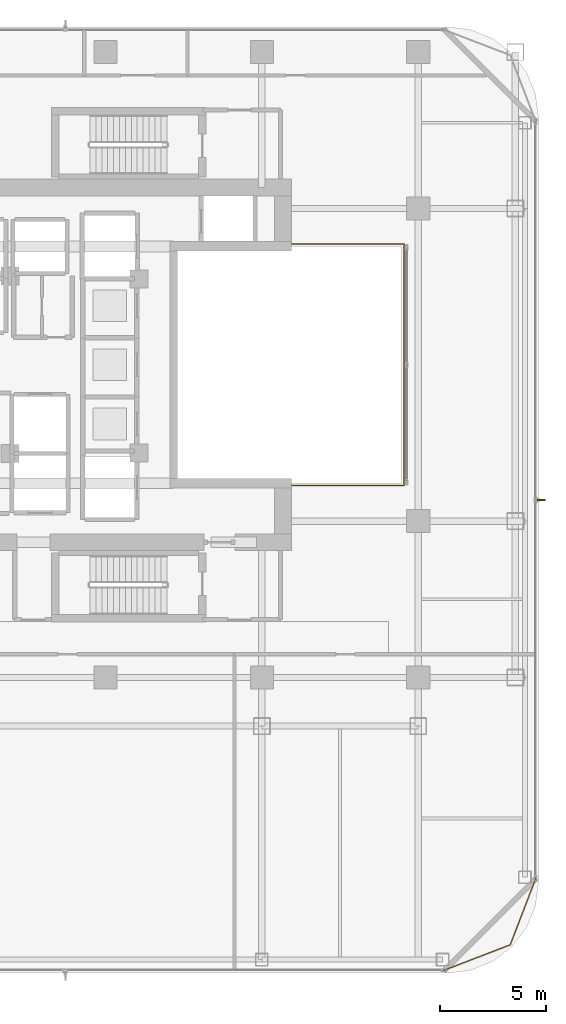
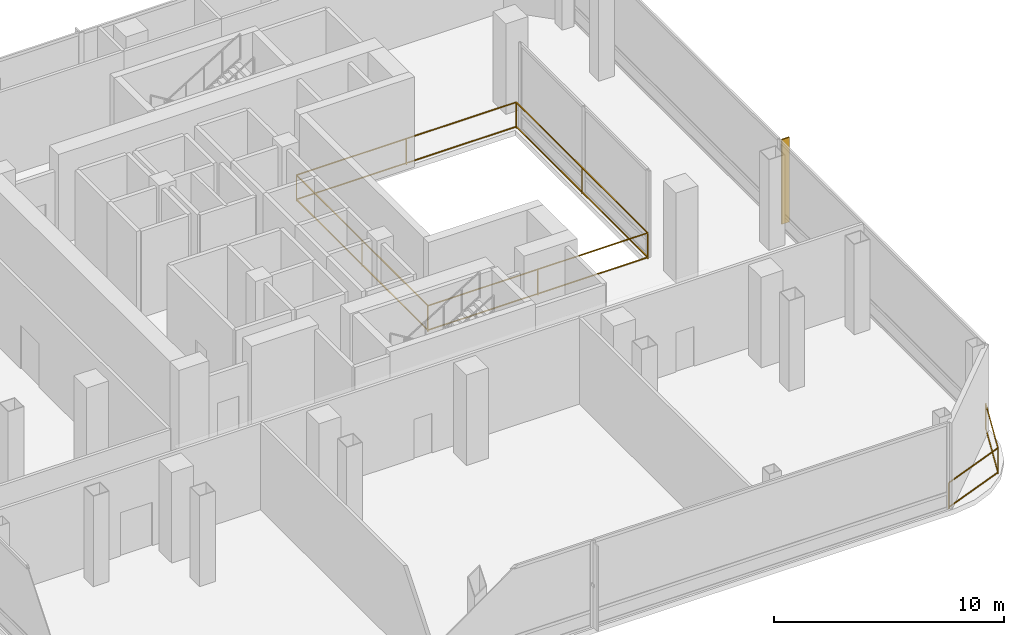
# One storey, part 20 of 22: 2 railings, 1 shading device.
"""IFC4 building model written with IfcOpenShell, lengths in metres."""

import ifcopenshell
import ifcopenshell.guid

model = None  # the IFC model being written
_history = None  # IfcOwnerHistory: only IFC2X3 demands one
_inside = {}  # id of a spatial element -> (the spatial element, [elements in it])
_under = {}  # id of a project, library or spatial element -> (it, [spatial elements below it])
_declared = {}  # id of a project -> (the project, [libraries it declares])
_typed = {}  # id of a type object -> (the type object, [elements of that type])
_made_of = {}  # id of a material, layer set ... -> (it, [elements and type objects made of it])


def new_model(schema):
    """Start an empty IFC model of exactly this schema.

    Asked for "IFC4X3", IfcOpenShell would pick the latest addendum, in which some entities
    have other attributes; the version numbers below select the first issue.
    IFC2X3 requires an IfcOwnerHistory on every rooted entity: one is made here for all.
    """
    global model, _history
    if schema == "IFC4X3":
        model = ifcopenshell.file(schema_version=(4, 3, 0, 0))
    else:
        model = ifcopenshell.file(schema=schema)
    _inside.clear()
    _under.clear()
    _declared.clear()
    _typed.clear()
    _made_of.clear()
    _history = None
    if model.schema == "IFC2X3":
        org = make("IfcOrganization", Name="unknown")
        user = make(
            "IfcPersonAndOrganization",
            ThePerson=make("IfcPerson", FamilyName="unknown"),
            TheOrganization=org,
        )
        app = make(
            "IfcApplication",
            ApplicationDeveloper=org,
            Version="unknown",
            ApplicationFullName="unknown",
            ApplicationIdentifier="unknown",
        )
        _history = make(
            "IfcOwnerHistory",
            OwningUser=user,
            OwningApplication=app,
            ChangeAction="ADDED",
            CreationDate=0,
        )
    return model


def make(cls, **values):
    """One entity of the class cls with the attributes given. An attribute that is None is left unset."""
    return model.create_entity(
        cls, **{name: value for name, value in values.items() if value is not None}
    )


def rooted(cls, **values):
    """An entity with a GlobalId (a new one), such as an element, a storey or a relation."""
    return make(cls, GlobalId=ifcopenshell.guid.new(), OwnerHistory=_history, **values)


def si_unit(unit_type, name, prefix=None):
    """IfcSIUnit, for example si_unit("LENGTHUNIT", "METRE", prefix="MILLI")."""
    return make("IfcSIUnit", UnitType=unit_type, Prefix=prefix, Name=name)


def assignment(units):
    """IfcUnitAssignment: the units of a project."""
    return None if units is None else make("IfcUnitAssignment", Units=units)


def point(xyz):
    """IfcCartesianPoint."""
    return None if xyz is None else make("IfcCartesianPoint", Coordinates=xyz)


def direction(xyz):
    """IfcDirection."""
    return None if xyz is None else make("IfcDirection", DirectionRatios=xyz)


def frame(location, z_axis=None, x_axis=None):
    """IfcAxis2Placement3D, a coordinate frame: its origin and axes. An axis left out is left unset."""
    return make(
        "IfcAxis2Placement3D",
        Location=point(location),
        Axis=direction(z_axis),
        RefDirection=direction(x_axis),
    )


def frame_2d(location, x_axis=None):
    """IfcAxis2Placement2D, a coordinate frame in the plane: its origin and x axis."""
    return make(
        "IfcAxis2Placement2D", Location=point(location), RefDirection=direction(x_axis)
    )


def origin():
    """The frame at (0, 0, 0) with its axes left unset."""
    return frame((0.0, 0.0, 0.0))


def origin_2d():
    """The frame at (0, 0) in the plane with its x axis left unset."""
    return frame_2d((0.0, 0.0))


def place(relative_to, where):
    """IfcLocalPlacement: puts the frame where relative to a parent placement (None: the world)."""
    return make(
        "IfcLocalPlacement", PlacementRelTo=relative_to, RelativePlacement=where
    )


def context(
    kind, dimensions, precision=None, world=None, true_north=None, identifier=None
):
    """IfcGeometricRepresentationContext, for example the 3D "Model" context."""
    return make(
        "IfcGeometricRepresentationContext",
        ContextIdentifier=identifier,
        ContextType=kind,
        CoordinateSpaceDimension=dimensions,
        Precision=precision,
        WorldCoordinateSystem=world,
        TrueNorth=true_north,
    )


def subcontext(parent, identifier, kind, view, scale=None):
    """IfcGeometricRepresentationSubContext, for example "Body" below "Model"."""
    return make(
        "IfcGeometricRepresentationSubContext",
        ContextIdentifier=identifier,
        ContextType=kind,
        ParentContext=parent,
        TargetScale=scale,
        TargetView=view,
    )


def project(units=None, contexts=None):
    """IfcProject with its units and contexts."""
    return rooted(
        "IfcProject",
        Name="project",
        RepresentationContexts=contexts,
        UnitsInContext=assignment(units),
    )


def spatial(cls, under=None, at=None, **own):
    """A site, building, storey or space (cls), placed at a placement, below another one or the project."""
    s = rooted(cls, ObjectPlacement=at, **own)
    if under is not None:
        _under.setdefault(under.id(), (under, []))[1].append(s)
    return s


def profile(cls, at=None, kind="AREA", **sizes):
    """A parametric profile (cls). Its sizes go by their IFC names, for example OverallWidth=200.0."""
    return make(cls, ProfileType=kind, Position=at, **sizes)


def rectangle(**sizes):
    """IfcRectangleProfileDef."""
    return profile("IfcRectangleProfileDef", **sizes)


def extrude(swept, where, along, depth):
    """IfcExtrudedAreaSolid: the profile swept, set in the frame where, extruded along a direction by depth."""
    return make(
        "IfcExtrudedAreaSolid",
        SweptArea=swept,
        Position=where,
        ExtrudedDirection=direction(along),
        Depth=depth,
    )


def shape(context_of_items, identifier, shape_type, items):
    """IfcShapeRepresentation: the items that make up one representation, for example the "Body"."""
    return make(
        "IfcShapeRepresentation",
        ContextOfItems=context_of_items,
        RepresentationIdentifier=identifier,
        RepresentationType=shape_type,
        Items=items,
    )


def material(Name=None, Category=None):
    """IfcMaterial."""
    return make("IfcMaterial", Name=Name, Category=Category)


def layer(
    of_material, thickness, ventilated=None, Name=None, Category=None, Priority=None
):
    """IfcMaterialLayer: one layer of a wall or slab, of a material (None: an air gap)."""
    return make(
        "IfcMaterialLayer",
        Material=of_material,
        LayerThickness=thickness,
        IsVentilated=ventilated,
        Name=Name,
        Category=Category,
        Priority=Priority,
    )


def layer_set(layers, Name=None):
    """IfcMaterialLayerSet."""
    return make("IfcMaterialLayerSet", MaterialLayers=layers, LayerSetName=Name)


def made_of(thing, what):
    """Note that an element or type object is made of a material, layer set ...; save() writes the relation."""
    if what is not None:
        _made_of.setdefault(what.id(), (what, []))[1].append(thing)
    return thing


def type_object(cls, material=None, **own):
    """A type object (cls), such as IfcWallType, which elements share."""
    return made_of(rooted(cls, **own), material)


def element(
    cls,
    number,
    at=None,
    inside=None,
    cuts=None,
    type_object=None,
    material=None,
    context=None,
    identifier="Body",
    shape_type=None,
    held_by="IfcProductDefinitionShape",
    body=None,
    shapes=None,
    **own,
):
    """One element of the class cls, such as IfcWall. Its Tag is "e" and its number.

    at: its placement. inside: the storey or other place that contains it. cuts: it is an
    opening in that element (IfcRelVoidsElement). A single representation is given by context,
    identifier, shape_type and body (its items); several are given by shapes. held_by: the class
    of the entity that holds the representations. save() writes the other relations.
    """
    e = rooted(cls, Tag="e%d" % number, ObjectPlacement=at, **own)
    if body is not None:
        shapes = [shape(context, identifier, shape_type, body)]
    if shapes is not None:
        e.Representation = make(held_by, Representations=shapes)
    if inside is not None:
        _inside.setdefault(inside.id(), (inside, []))[1].append(e)
    if cuts is not None:
        rooted(
            "IfcRelVoidsElement", RelatingBuildingElement=cuts, RelatedOpeningElement=e
        )
    if type_object is not None:
        _typed.setdefault(type_object.id(), (type_object, []))[1].append(e)
    return made_of(e, material)


def aggregate(whole, parts):
    """IfcRelAggregates: a whole, such as a stair, and the parts it consists of."""
    return rooted("IfcRelAggregates", RelatingObject=whole, RelatedObjects=parts)


def save(model, path):
    """Write the relations noted so far, then the file.

    IfcRelAggregates (storeys below a building ...), IfcRelContainedInSpatialStructure (elements
    in a storey), IfcRelDefinesByType, IfcRelAssociatesMaterial and IfcRelDeclares: one each for
    every whole, place, type object, material and project.
    """
    for whole, parts in _under.values():
        aggregate(whole, parts)
    for where, things in _inside.values():
        rooted(
            "IfcRelContainedInSpatialStructure",
            RelatedElements=things,
            RelatingStructure=where,
        )
    for kind, things in _typed.values():
        rooted("IfcRelDefinesByType", RelatedObjects=things, RelatingType=kind)
    for what, things in _made_of.values():
        rooted("IfcRelAssociatesMaterial", RelatedObjects=things, RelatingMaterial=what)
    for by, libraries in _declared.values():
        rooted("IfcRelDeclares", RelatingContext=by, RelatedDefinitions=libraries)
    model.write(path)


model = new_model("IFC4")

# Units and contexts
model_context = context("Model", 3, precision=1e-05, world=origin(), true_north=direction((0.0, 1.0)))
body_context = subcontext(model_context, "Body", "Model", "MODEL_VIEW")
ifc_project = project(units=[si_unit("LENGTHUNIT", "METRE"), si_unit("AREAUNIT", "SQUARE_METRE"), si_unit("VOLUMEUNIT", "CUBIC_METRE"), si_unit("PLANEANGLEUNIT", "RADIAN"), si_unit("MASSUNIT", "GRAM", prefix="KILO")], contexts=[model_context])

# Site, building, storey
site_placement = place(None, origin())
site = spatial("IfcSite", under=ifc_project, at=site_placement, CompositionType="ELEMENT")
building_placement = place(site_placement, origin())
building = spatial("IfcBuilding", under=site, at=building_placement, Name="Khorvyn Point Tower", CompositionType="ELEMENT")
storey_placement = place(building_placement, frame((0.0, 0.0, 210.89990234375)))
storey = spatial("IfcBuildingStorey", under=building, at=storey_placement, Name="L52", CompositionType="ELEMENT", Elevation=210.89990234375)

# Shading device
ifc_material_1 = material(Name="Bronze anodised aluminium 6063-T6", Category="aluminium")
ifc_layer = layer(ifc_material_1, 0.06494140625)
ifc_layer_set = layer_set([ifc_layer], Name="Bronze Anodised Aluminium FIN 380x65")
shading_device_type = type_object("IfcShadingDeviceType", Name="Bronze Anodised Aluminium FIN 380x65", PredefinedType="USERDEFINED", material=ifc_layer_set)
shading_device_placement = place(storey_placement, frame((20.6298828125, -6.39990234375, 0.0400390625), z_axis=(0.0, 0.0, 1.0), x_axis=(1.0, 0.0, 0.0)))
element("IfcShadingDevice", 1, at=shading_device_placement, inside=storey, type_object=shading_device_type, Name="L52 Anodised FIN 01", ObjectType="FIN", PredefinedType="USERDEFINED", context=body_context, shape_type="SweptSolid", body=[
    extrude(rectangle(XDim=0.3798828125, YDim=0.06494140625, at=origin_2d()), origin(), (0.0, 0.0, 1.0), 4.5),
])

# Railings
ifc_material_2 = material(Name="Stainless steel 1.4401 and laminated glass", Category="steel")
railing_type_1 = type_object("IfcRailingType", Name="Crystal Atrium Smoke-Rated Perimeter Guardrail 1400", PredefinedType="GUARDRAIL", material=ifc_material_2)
railing_1_placement = place(storey_placement, frame((3.080078125, -5.719970703125, 0.0)))
element("IfcRailing", 2, at=railing_1_placement, inside=storey, type_object=railing_type_1, Name="L52 Crystal Atrium Perimeter Guardrail", PredefinedType="GUARDRAIL", context=body_context, shape_type="SweptSolid", body=[
    extrude(rectangle(XDim=0.048095703125, YDim=0.048095703125, at=origin_2d()), frame((0.0, 0.0, 1.3759765625), z_axis=(1.0, 0.0, 0.0), x_axis=(0.0, 1.0, 0.0)), (0.0, 0.0, 1.0), 11.0400390625),
    extrude(rectangle(XDim=0.048095703125, YDim=0.048095703125, at=origin_2d()), frame((0.0, 0.0, 0.080078125), z_axis=(1.0, 0.0, 0.0), x_axis=(0.0, 1.0, 0.0)), (0.0, 0.0, 1.0), 11.0400390625),
    extrude(rectangle(XDim=0.048095703125, YDim=0.048095703125, at=origin_2d()), frame((11.0400390625, 0.0, 1.3759765625), z_axis=(0.0, 1.0, 0.0), x_axis=(-1.0, 0.0, 0.0)), (0.0, 0.0, 1.0), 11.43994140625),
    extrude(rectangle(XDim=0.048095703125, YDim=0.048095703125, at=origin_2d()), frame((11.0400390625, 0.0, 0.080078125), z_axis=(0.0, 1.0, 0.0), x_axis=(-1.0, 0.0, 0.0)), (0.0, 0.0, 1.0), 11.43994140625),
    extrude(rectangle(XDim=0.048095703125, YDim=0.048095703125, at=origin_2d()), frame((11.0400390625, 11.43994140625, 1.3759765625), z_axis=(-1.0, 0.0, 0.0), x_axis=(0.0, -1.0, 0.0)), (0.0, 0.0, 1.0), 11.0400390625),
    extrude(rectangle(XDim=0.048095703125, YDim=0.048095703125, at=origin_2d()), frame((11.0400390625, 11.43994140625, 0.080078125), z_axis=(-1.0, 0.0, 0.0), x_axis=(0.0, -1.0, 0.0)), (0.0, 0.0, 1.0), 11.0400390625),
    extrude(rectangle(XDim=0.048095703125, YDim=0.048095703125, at=origin_2d()), frame((0.0, 11.43994140625, 1.3759765625), z_axis=(0.0, -1.0, 0.0), x_axis=(1.0, 0.0, 0.0)), (0.0, 0.0, 1.0), 11.409912109375),
    extrude(rectangle(XDim=0.048095703125, YDim=0.048095703125, at=origin_2d()), frame((0.0, 11.43994140625, 0.080078125), z_axis=(0.0, -1.0, 0.0), x_axis=(1.0, 0.0, 0.0)), (0.0, 0.0, 1.0), 11.409912109375),
    extrude(rectangle(XDim=0.0419921875, YDim=0.0419921875, at=origin_2d()), origin(), (0.0, 0.0, 1.0), 1.351806640625),
    extrude(rectangle(XDim=0.0419921875, YDim=0.0419921875, at=origin_2d()), frame((5.52001953125, 0.0, 0.0)), (0.0, 0.0, 1.0), 1.351806640625),
    extrude(rectangle(XDim=0.0419921875, YDim=0.0419921875, at=origin_2d()), frame((11.0400390625, 0.0, 0.0)), (0.0, 0.0, 1.0), 1.351806640625),
    extrude(rectangle(XDim=0.0419921875, YDim=0.0419921875, at=origin_2d()), frame((11.0400390625, 5.719970703125, 0.0)), (0.0, 0.0, 1.0), 1.351806640625),
    extrude(rectangle(XDim=0.0419921875, YDim=0.0419921875, at=origin_2d()), frame((11.0400390625, 11.43994140625, 0.0)), (0.0, 0.0, 1.0), 1.351806640625),
    extrude(rectangle(XDim=0.0419921875, YDim=0.0419921875, at=origin_2d()), frame((5.52001953125, 11.43994140625, 0.0)), (0.0, 0.0, 1.0), 1.351806640625),
    extrude(rectangle(XDim=0.0419921875, YDim=0.0419921875, at=origin_2d()), frame((0.0, 11.43994140625, 0.0)), (0.0, 0.0, 1.0), 1.351806640625),
    extrude(rectangle(XDim=0.0419921875, YDim=0.0419921875, at=origin_2d()), frame((0.0, 5.73486328125, 0.0)), (0.0, 0.0, 1.0), 1.351806640625),
    extrude(rectangle(XDim=0.0419921875, YDim=0.0419921875, at=origin_2d()), frame((0.0, 0.030029296875, 0.0)), (0.0, 0.0, 1.0), 1.351806640625),
])
ifc_material_3 = material(Name="Anodised aluminium 6063-T6 and laminated safety glass", Category="aluminium")
railing_type_2 = type_object("IfcRailingType", Name="Laminated Glass and Aluminium Balcony Guardrail 1400", PredefinedType="BALUSTRADE", material=ifc_material_3)
railing_2_placement = place(storey_placement, frame((15.981201171875, -28.67431640625, 0.0)))
element("IfcRailing", 3, at=railing_2_placement, inside=storey, type_object=railing_type_2, Name="L52 Rounded Corner Edge Guardrail SE", PredefinedType="BALUSTRADE", context=body_context, shape_type="SweptSolid", body=[
    extrude(rectangle(XDim=0.048095703125, YDim=0.048095703125, at=origin_2d()), frame((0.0, 0.0, 1.3759765625), z_axis=(0.933589651443, 0.358343916815, 0.0), x_axis=(-0.358343916815, 0.933589651443, 0.0)), (0.0, 0.0, 1.0), 3.400390625),
    extrude(rectangle(XDim=0.048095703125, YDim=0.048095703125, at=origin_2d()), frame((0.0, 0.0, 0.080078125), z_axis=(0.933589651443, 0.358343916815, 0.0), x_axis=(-0.358343916815, 0.933589651443, 0.0)), (0.0, 0.0, 1.0), 3.400390625),
    extrude(rectangle(XDim=0.048095703125, YDim=0.048095703125, at=origin_2d()), frame((3.174560546875, 1.218505859375, 1.3759765625), z_axis=(0.358343916815, 0.933589651443, 0.0), x_axis=(-0.933589651443, 0.358343916815, 0.0)), (0.0, 0.0, 1.0), 3.400390625),
    extrude(rectangle(XDim=0.048095703125, YDim=0.048095703125, at=origin_2d()), frame((3.174560546875, 1.218505859375, 0.080078125), z_axis=(0.358343916815, 0.933589651443, 0.0), x_axis=(-0.933589651443, 0.358343916815, 0.0)), (0.0, 0.0, 1.0), 3.400390625),
    extrude(rectangle(XDim=0.0419921875, YDim=0.0419921875, at=origin_2d()), origin(), (0.0, 0.0, 1.0), 1.351806640625),
    extrude(rectangle(XDim=0.0419921875, YDim=0.0419921875, at=origin_2d()), frame((3.174560546875, 1.218505859375, 0.0)), (0.0, 0.0, 1.0), 1.351806640625),
    extrude(rectangle(XDim=0.0419921875, YDim=0.0419921875, at=origin_2d()), frame((4.39306640625, 4.39306640625, 0.0)), (0.0, 0.0, 1.0), 1.351806640625),
])

save(model, "model.ifc")
